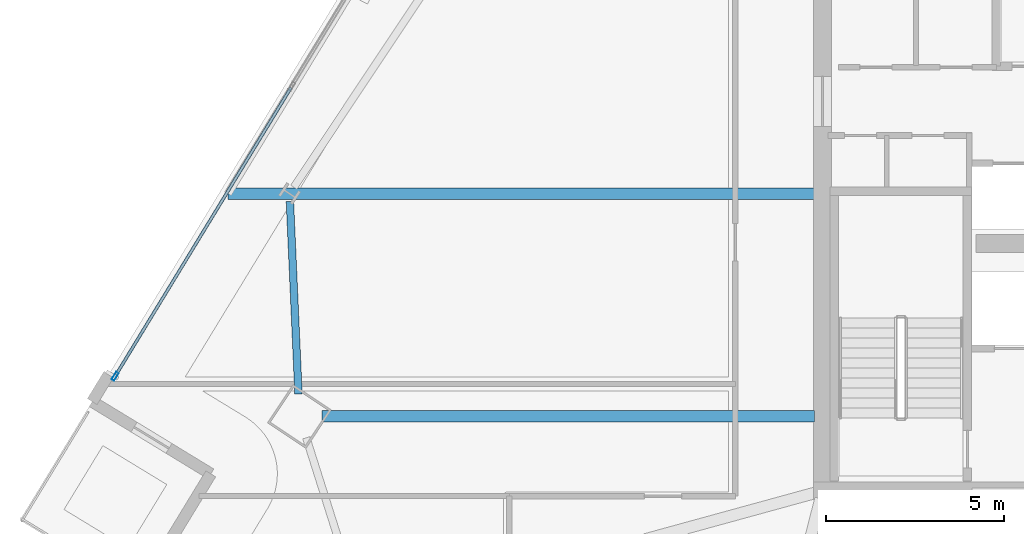
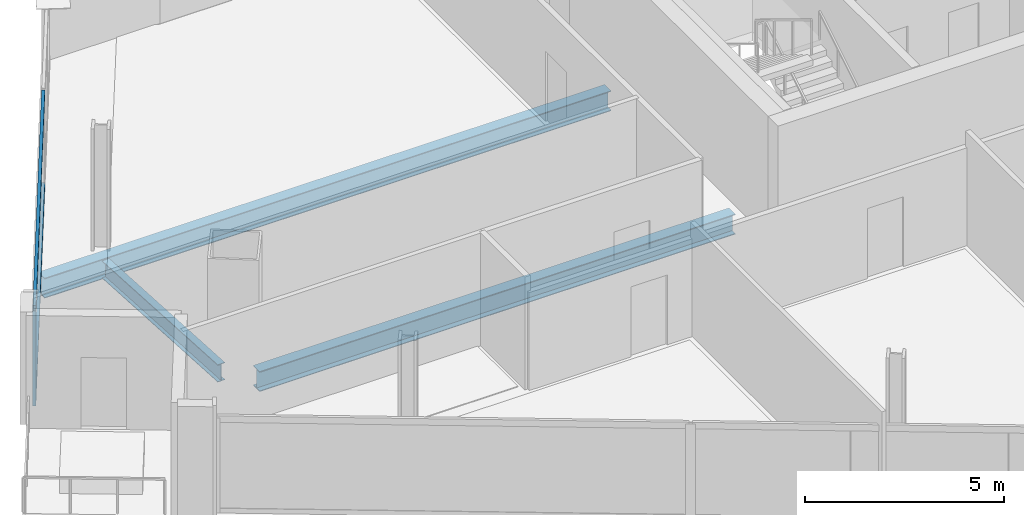
# One storey, part 6 of 28: 3 beams, 3 members, 1 element without a shape of its own.
"""IFC4 building model written with IfcOpenShell, lengths in metres."""

from ifc_helpers import new_model, si_unit, direction, frame, origin, origin_2d, place, context, subcontext, project, spatial, hollow_rectangle, i_section, extrude, material, material_profile, profile_set, type_object, element, aggregate, save


model = new_model("IFC4")

# Units and contexts
model_context = context("Model", 3, precision=1e-05, world=origin(), true_north=direction((0.0, 1.0)))
body_context = subcontext(model_context, "Body", "Model", "MODEL_VIEW")
ifc_project = project(units=[si_unit("LENGTHUNIT", "METRE"), si_unit("AREAUNIT", "SQUARE_METRE"), si_unit("VOLUMEUNIT", "CUBIC_METRE"), si_unit("PLANEANGLEUNIT", "RADIAN"), si_unit("MASSUNIT", "GRAM", prefix="KILO")], contexts=[model_context])

# Site, building, storey
site_placement = place(None, origin())
site = spatial("IfcSite", under=ifc_project, at=site_placement, CompositionType="ELEMENT")
building_placement = place(site_placement, origin())
building = spatial("IfcBuilding", under=site, at=building_placement, Name="Haldenkirk Collegiate Tower", CompositionType="ELEMENT")
storey_placement = place(building_placement, frame((0.0, 0.0, 224.699951171875)))
storey = spatial("IfcBuildingStorey", under=building, at=storey_placement, Name="L56", CompositionType="ELEMENT", Elevation=224.699951171875)

# Beams
ifc_material_1 = material(Name="Steel ASTM A992 Grade 50", Category="steel")
ifc_material_profile_1 = material_profile(ifc_material_1, i_section(OverallWidth=0.324951171875, OverallDepth=0.615966796875, WebThickness=0.013916015625, FlangeThickness=0.021484375, at=origin_2d()), Name="W24X117")
ifc_profile_set_1 = profile_set([ifc_material_profile_1], Name="Steel ASTM A992 Grade 50")
beam_type_1 = type_object("IfcBeamType", Name="BM-GIRDER-W24X117", PredefinedType="BEAM", material=ifc_profile_set_1)
beam_1_placement = place(storey_placement, frame((12.9345703125, 20.089599609375, -0.587890625), z_axis=(1.0, 0.0, 0.0), x_axis=(0.0, 1.0, 0.0)))
element("IfcBeam", 1, at=beam_1_placement, inside=storey, type_object=beam_type_1, Name="L56 primary floor girder 04", PredefinedType="BEAM", context=body_context, shape_type="SweptSolid", body=[
    extrude(i_section(OverallWidth=0.324951171875, OverallDepth=0.615966796875, WebThickness=0.013916015625, FlangeThickness=0.021484375, at=origin_2d()), origin(), (0.0, 0.0, 1.0), 13.83544921875),
])
beam_2_placement = place(storey_placement, frame((10.29833984375, 26.34716796875, -0.587890625), z_axis=(1.0, 0.0, 0.0), x_axis=(0.0, 1.0, 0.0)))
element("IfcBeam", 2, at=beam_2_placement, inside=storey, type_object=beam_type_1, Name="L56 primary floor girder 13", PredefinedType="BEAM", context=body_context, shape_type="SweptSolid", body=[
    extrude(i_section(OverallWidth=0.324951171875, OverallDepth=0.615966796875, WebThickness=0.013916015625, FlangeThickness=0.021484375, at=origin_2d()), origin(), (0.0, 0.0, 1.0), 16.4716796875),
])
ifc_material_profile_2 = material_profile(ifc_material_1, i_section(OverallWidth=0.2099609375, OverallDepth=0.537109375, WebThickness=0.010986328125, FlangeThickness=0.017333984375, at=origin_2d()), Name="W21X68")
ifc_profile_set_2 = profile_set([ifc_material_profile_2], Name="Steel ASTM A992 Grade 50")
beam_type_2 = type_object("IfcBeamType", Name="BM-SPANDREL-W21X68", PredefinedType="SPANDREL", material=ifc_profile_set_2)
beam_3_placement = place(storey_placement, frame((12.034912109375, 26.13037109375, -0.54833984375), z_axis=(0.044620526426, -0.999004008311, 0.0), x_axis=(0.999004008311, 0.044620526426, 0.0)))
element("IfcBeam", 3, at=beam_3_placement, inside=storey, type_object=beam_type_2, Name="L56 perimeter spandrel beam 12", PredefinedType="SPANDREL", context=body_context, shape_type="SweptSolid", body=[
    extrude(i_section(OverallWidth=0.2099609375, OverallDepth=0.537109375, WebThickness=0.010986328125, FlangeThickness=0.017333984375, at=origin_2d()), origin(), (0.0, 0.0, 1.0), 5.416748046875),
])

# Curtain wall, members
ifc_material_2 = material(Name="Anodised architectural bronze aluminium", Category="aluminium")
curtain_wall_type = type_object("IfcCurtainWallType", Name="CW-SYS1B-CONVEX-HI", PredefinedType="USERDEFINED", material=ifc_material_2)
curtain_wall_placement = place(storey_placement, origin())
curtain_wall = element("IfcCurtainWall", 4, at=curtain_wall_placement, inside=storey, type_object=curtain_wall_type, Name="L56 Upper tower high-wind convex bronze unitised curtain wall", ObjectType="UNITISED CURTAIN WALL", PredefinedType="USERDEFINED")
ifc_material_profile_3 = material_profile(ifc_material_2, hollow_rectangle(XDim=0.0849609375, YDim=0.25, WallThickness=0.0048828125, at=origin_2d()), Name="CW-MUL-1B")
ifc_profile_set_3 = profile_set([ifc_material_profile_3], Name="Anodised architectural bronze aluminium")
member_type_1 = type_object("IfcMemberType", Name="CW-MUL-1B", PredefinedType="MULLION", material=ifc_profile_set_3)
member_1_placement = place(storey_placement, frame((7.125732421875, 21.21630859375, 0.0), z_axis=(0.0, 0.0, 1.0), x_axis=(-0.854004384454, 0.520265808345, 0.0)))
member_1 = element("IfcMember", 5, at=member_1_placement, type_object=member_type_1, Name="CW-1B mullion 1", PredefinedType="MULLION", context=body_context, shape_type="SweptSolid", body=[
    extrude(hollow_rectangle(XDim=0.0849609375, YDim=0.25, WallThickness=0.0048828125, at=origin_2d()), origin(), (0.0, 0.0, 1.0), 2.927978515625),
])
ifc_material_profile_4 = material_profile(ifc_material_2, hollow_rectangle(XDim=0.0849609375, YDim=0.199951171875, WallThickness=0.0048828125, at=origin_2d()), Name="CW-TRN-1B")
ifc_profile_set_4 = profile_set([ifc_material_profile_4], Name="Anodised architectural bronze aluminium")
member_type_2 = type_object("IfcMemberType", Name="CW-TRN-1B", PredefinedType="USERDEFINED", material=ifc_profile_set_4)
member_2_placement = place(storey_placement, frame((7.147705078125, 21.252685546875, 0.04248046875), z_axis=(0.520275653432, 0.853998386677, 0.0), x_axis=(-0.853998386677, 0.520275653432, 0.0)))
member_2 = element("IfcMember", 6, at=member_2_placement, type_object=member_type_2, Name="CW-1B transom 1.1", ObjectType="TRANSOM", PredefinedType="USERDEFINED", context=body_context, shape_type="SweptSolid", body=[
    extrude(hollow_rectangle(XDim=0.0849609375, YDim=0.199951171875, WallThickness=0.0048828125, at=origin_2d()), origin(), (0.0, 0.0, 1.0), 9.447509765625),
])
member_3_placement = place(storey_placement, frame((7.147705078125, 21.252685546875, 2.885498046875), z_axis=(0.520275653432, 0.853998386677, 0.0), x_axis=(-0.853998386677, 0.520275653432, 0.0)))
member_3 = element("IfcMember", 7, at=member_3_placement, type_object=member_type_2, Name="CW-1B transom 1.2", ObjectType="TRANSOM", PredefinedType="USERDEFINED", context=body_context, shape_type="SweptSolid", body=[
    extrude(hollow_rectangle(XDim=0.0849609375, YDim=0.199951171875, WallThickness=0.0048828125, at=origin_2d()), origin(), (0.0, 0.0, 1.0), 9.447509765625),
])
aggregate(curtain_wall, [member_1, member_2, member_3])

save(model, "model.ifc")
